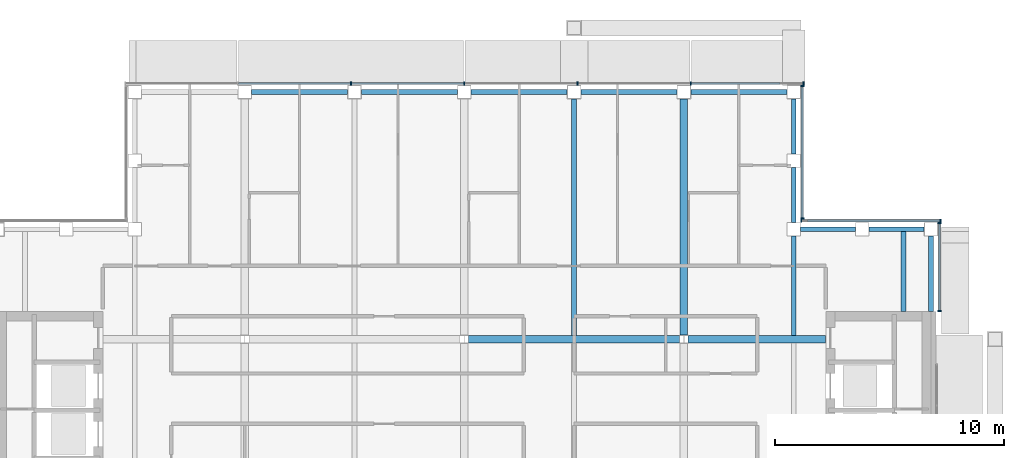
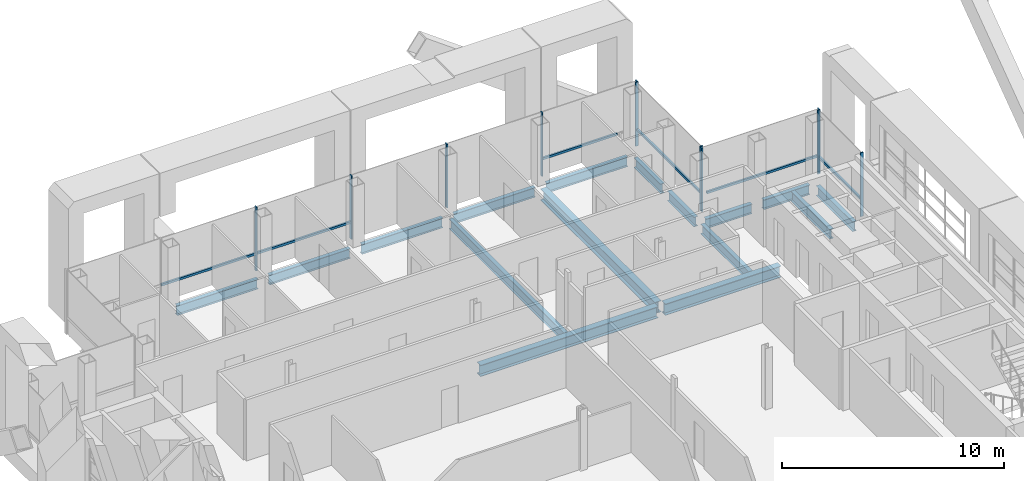
# One storey, part 9 of 23: 17 members, 16 beams, 4 elements without a shape of their own.
"""IFC4 building model written with IfcOpenShell, lengths in metres."""

from ifc_helpers import new_model, si_unit, direction, frame, origin, origin_2d, place, context, subcontext, project, spatial, rectangle, i_section, extrude, material, material_profile, profile_set, type_object, element, aggregate, save


model = new_model("IFC4")

# Units and contexts
model_context = context("Model", 3, precision=1e-05, world=origin(), true_north=direction((0.0, 1.0)))
body_context = subcontext(model_context, "Body", "Model", "MODEL_VIEW")
ifc_project = project(units=[si_unit("LENGTHUNIT", "METRE"), si_unit("AREAUNIT", "SQUARE_METRE"), si_unit("VOLUMEUNIT", "CUBIC_METRE"), si_unit("PLANEANGLEUNIT", "RADIAN"), si_unit("MASSUNIT", "GRAM", prefix="KILO")], contexts=[model_context])

# Site, building, storey
site_placement = place(None, origin())
site = spatial("IfcSite", under=ifc_project, at=site_placement, CompositionType="ELEMENT")
building_placement = place(site_placement, origin())
building = spatial("IfcBuilding", under=site, at=building_placement, Name="Cobrizo Arcos Hotel Tower", CompositionType="ELEMENT")
storey_placement = place(building_placement, frame((0.0, 0.0, 255.0)))
storey = spatial("IfcBuildingStorey", under=building, at=storey_placement, Name="L67", CompositionType="ELEMENT", Elevation=255.0)

# Curtain wall, members
ifc_material_1 = material(Name="Aluminium 6063-T6 anodised bronze", Category="aluminium")
curtain_wall_type = type_object("IfcCurtainWallType", Name="CW-A guest facade", PredefinedType="NOTDEFINED", material=ifc_material_1)
curtain_wall_1_placement = place(storey_placement, origin())
curtain_wall_1 = element("IfcCurtainWall", 1, at=curtain_wall_1_placement, inside=storey, type_object=curtain_wall_type, Name="CW-A L67 E face", PredefinedType="NOTDEFINED")
ifc_material_profile_1 = material_profile(ifc_material_1, rectangle(XDim=0.14990234375, YDim=0.06005859375, at=origin_2d()), Name="CW-A mullion 150x60")
ifc_profile_set_1 = profile_set([ifc_material_profile_1], Name="Aluminium 6063-T6 anodised bronze")
member_type_1 = type_object("IfcMemberType", Name="CW-A mullion 150x60", PredefinedType="MULLION", material=ifc_profile_set_1)
member_1_placement = place(storey_placement, frame((20.77490234375, 10.830078125, 0.0), z_axis=(0.0, 0.0, 1.0), x_axis=(1.0, 0.0, 0.0)))
member_1 = element("IfcMember", 2, at=member_1_placement, type_object=member_type_1, Name="CW-A mullion 1", PredefinedType="MULLION", context=body_context, shape_type="SweptSolid", body=[
    extrude(rectangle(XDim=0.14990234375, YDim=0.06005859375, at=origin_2d()), origin(), (0.0, 0.0, 1.0), 3.5),
])
member_2_placement = place(storey_placement, frame((20.77490234375, 14.669921875, 0.0), z_axis=(0.0, 0.0, 1.0), x_axis=(1.0, 0.0, 0.0)))
member_2 = element("IfcMember", 3, at=member_2_placement, type_object=member_type_1, Name="CW-A mullion 2", PredefinedType="MULLION", context=body_context, shape_type="SweptSolid", body=[
    extrude(rectangle(XDim=0.14990234375, YDim=0.06005859375, at=origin_2d()), origin(), (0.0, 0.0, 1.0), 3.5),
])

curtain_wall_2_placement = place(storey_placement, origin())
curtain_wall_2 = element("IfcCurtainWall", 4, at=curtain_wall_2_placement, inside=storey, type_object=curtain_wall_type, Name="CW-A L67 N face", PredefinedType="NOTDEFINED")
member_3_placement = place(storey_placement, frame((20.820068359375, 14.77490234375, 0.0), z_axis=(0.0, 0.0, 1.0), x_axis=(0.0, 1.0, 0.0)))
member_3 = element("IfcMember", 5, at=member_3_placement, type_object=member_type_1, Name="CW-A mullion 1", PredefinedType="MULLION", context=body_context, shape_type="SweptSolid", body=[
    extrude(rectangle(XDim=0.14990234375, YDim=0.06005859375, at=origin_2d()), origin(), (0.0, 0.0, 1.0), 3.5),
])
member_4_placement = place(storey_placement, frame((14.72998046875, 14.77490234375, 0.0), z_axis=(0.0, 0.0, 1.0), x_axis=(0.0, 1.0, 0.0)))
member_4 = element("IfcMember", 6, at=member_4_placement, type_object=member_type_1, Name="CW-A mullion 2", PredefinedType="MULLION", context=body_context, shape_type="SweptSolid", body=[
    extrude(rectangle(XDim=0.14990234375, YDim=0.06005859375, at=origin_2d()), origin(), (0.0, 0.0, 1.0), 3.5),
])

curtain_wall_3_placement = place(storey_placement, origin())
curtain_wall_3 = element("IfcCurtainWall", 7, at=curtain_wall_3_placement, inside=storey, type_object=curtain_wall_type, Name="CW-A L67 E face", PredefinedType="NOTDEFINED")
member_5_placement = place(storey_placement, frame((14.77490234375, 14.8798828125, 0.0), z_axis=(0.0, 0.0, 1.0), x_axis=(1.0, 0.0, 0.0)))
member_5 = element("IfcMember", 8, at=member_5_placement, type_object=member_type_1, Name="CW-A mullion 1", PredefinedType="MULLION", context=body_context, shape_type="SweptSolid", body=[
    extrude(rectangle(XDim=0.14990234375, YDim=0.06005859375, at=origin_2d()), origin(), (0.0, 0.0, 1.0), 3.5),
])
member_6_placement = place(storey_placement, frame((14.77490234375, 20.669921875, 0.0), z_axis=(0.0, 0.0, 1.0), x_axis=(1.0, 0.0, 0.0)))
member_6 = element("IfcMember", 9, at=member_6_placement, type_object=member_type_1, Name="CW-A mullion 2", PredefinedType="MULLION", context=body_context, shape_type="SweptSolid", body=[
    extrude(rectangle(XDim=0.14990234375, YDim=0.06005859375, at=origin_2d()), origin(), (0.0, 0.0, 1.0), 3.5),
])

curtain_wall_4_placement = place(storey_placement, origin())
curtain_wall_4 = element("IfcCurtainWall", 10, at=curtain_wall_4_placement, inside=storey, type_object=curtain_wall_type, Name="CW-A L67 N face", PredefinedType="NOTDEFINED")
member_7_placement = place(storey_placement, frame((14.820068359375, 20.77490234375, 0.0), z_axis=(0.0, 0.0, 1.0), x_axis=(0.0, 1.0, 0.0)))
member_7 = element("IfcMember", 11, at=member_7_placement, type_object=member_type_1, Name="CW-A mullion 1", PredefinedType="MULLION", context=body_context, shape_type="SweptSolid", body=[
    extrude(rectangle(XDim=0.14990234375, YDim=0.06005859375, at=origin_2d()), origin(), (0.0, 0.0, 1.0), 3.5),
])
member_8_placement = place(storey_placement, frame((9.89990234375, 20.77490234375, 0.0), z_axis=(0.0, 0.0, 1.0), x_axis=(0.0, 1.0, 0.0)))
member_8 = element("IfcMember", 12, at=member_8_placement, type_object=member_type_1, Name="CW-A mullion 2", PredefinedType="MULLION", context=body_context, shape_type="SweptSolid", body=[
    extrude(rectangle(XDim=0.14990234375, YDim=0.06005859375, at=origin_2d()), origin(), (0.0, 0.0, 1.0), 3.5),
])
member_9_placement = place(storey_placement, frame((4.949951171875, 20.77490234375, 0.0), z_axis=(0.0, 0.0, 1.0), x_axis=(0.0, 1.0, 0.0)))
member_9 = element("IfcMember", 13, at=member_9_placement, type_object=member_type_1, Name="CW-A mullion 3", PredefinedType="MULLION", context=body_context, shape_type="SweptSolid", body=[
    extrude(rectangle(XDim=0.14990234375, YDim=0.06005859375, at=origin_2d()), origin(), (0.0, 0.0, 1.0), 3.5),
])
member_10_placement = place(storey_placement, frame((0.0, 20.77490234375, 0.0), z_axis=(0.0, 0.0, 1.0), x_axis=(0.0, 1.0, 0.0)))
member_10 = element("IfcMember", 14, at=member_10_placement, type_object=member_type_1, Name="CW-A mullion 4", PredefinedType="MULLION", context=body_context, shape_type="SweptSolid", body=[
    extrude(rectangle(XDim=0.14990234375, YDim=0.06005859375, at=origin_2d()), origin(), (0.0, 0.0, 1.0), 3.5),
])
member_11_placement = place(storey_placement, frame((-4.949951171875, 20.77490234375, 0.0), z_axis=(0.0, 0.0, 1.0), x_axis=(0.0, 1.0, 0.0)))
member_11 = element("IfcMember", 15, at=member_11_placement, type_object=member_type_1, Name="CW-A mullion 5", PredefinedType="MULLION", context=body_context, shape_type="SweptSolid", body=[
    extrude(rectangle(XDim=0.14990234375, YDim=0.06005859375, at=origin_2d()), origin(), (0.0, 0.0, 1.0), 3.5),
])

# Member
ifc_material_profile_2 = material_profile(ifc_material_1, rectangle(XDim=0.10009765625, YDim=0.1201171875, at=origin_2d()), Name="CW-A transom 120x100")
ifc_profile_set_2 = profile_set([ifc_material_profile_2], Name="Aluminium 6063-T6 anodised bronze")
member_type_2 = type_object("IfcMemberType", Name="CW-A transom 120x100", PredefinedType="USERDEFINED", material=ifc_profile_set_2)
member_12_placement = place(storey_placement, frame((20.77490234375, 10.860107421875, 0.929931640625), z_axis=(0.0, 1.0, 0.0), x_axis=(-1.0, 0.0, 0.0)))
member_12 = element("IfcMember", 16, at=member_12_placement, type_object=member_type_2, Name="CW-A transom 2117", ObjectType="TRANSOM", PredefinedType="USERDEFINED", context=body_context, shape_type="SweptSolid", body=[
    extrude(rectangle(XDim=0.10009765625, YDim=0.1201171875, at=origin_2d()), origin(), (0.0, 0.0, 1.0), 3.77978515625),
])

aggregate(curtain_wall_1, [member_1, member_2, member_12])

member_13_placement = place(storey_placement, frame((20.7900390625, 14.77490234375, 0.929931640625), z_axis=(-1.0, 0.0, 0.0), x_axis=(0.0, -1.0, 0.0)))
member_13 = element("IfcMember", 17, at=member_13_placement, type_object=member_type_2, Name="CW-A transom 2118", ObjectType="TRANSOM", PredefinedType="USERDEFINED", context=body_context, shape_type="SweptSolid", body=[
    extrude(rectangle(XDim=0.10009765625, YDim=0.1201171875, at=origin_2d()), origin(), (0.0, 0.0, 1.0), 5.7900390625),
])

aggregate(curtain_wall_2, [member_3, member_4, member_13])

member_14_placement = place(storey_placement, frame((14.77490234375, 14.909912109375, 0.929931640625), z_axis=(0.0, 1.0, 0.0), x_axis=(-1.0, 0.0, 0.0)))
member_14 = element("IfcMember", 18, at=member_14_placement, type_object=member_type_2, Name="CW-A transom 2119", ObjectType="TRANSOM", PredefinedType="USERDEFINED", context=body_context, shape_type="SweptSolid", body=[
    extrude(rectangle(XDim=0.10009765625, YDim=0.1201171875, at=origin_2d()), origin(), (0.0, 0.0, 1.0), 5.68017578125),
])

aggregate(curtain_wall_3, [member_5, member_6, member_14])

member_15_placement = place(storey_placement, frame((13.800048828125, 20.77490234375, 0.929931640625), z_axis=(-1.0, 0.0, 0.0), x_axis=(0.0, -1.0, 0.0)))
member_15 = element("IfcMember", 19, at=member_15_placement, type_object=member_type_2, Name="CW-A transom 2120", ObjectType="TRANSOM", PredefinedType="USERDEFINED", context=body_context, shape_type="SweptSolid", body=[
    extrude(rectangle(XDim=0.10009765625, YDim=0.1201171875, at=origin_2d()), origin(), (0.0, 0.0, 1.0), 3.8701171875),
])

member_16_placement = place(storey_placement, frame((-0.030029296875, 20.77490234375, 0.929931640625), z_axis=(-1.0, 0.0, 0.0), x_axis=(0.0, -1.0, 0.0)))
member_16 = element("IfcMember", 20, at=member_16_placement, type_object=member_type_2, Name="CW-A transom 2123", ObjectType="TRANSOM", PredefinedType="USERDEFINED", context=body_context, shape_type="SweptSolid", body=[
    extrude(rectangle(XDim=0.10009765625, YDim=0.1201171875, at=origin_2d()), origin(), (0.0, 0.0, 1.0), 4.889892578125),
])

member_17_placement = place(storey_placement, frame((-4.97998046875, 20.77490234375, 0.929931640625), z_axis=(-1.0, 0.0, 0.0), x_axis=(0.0, -1.0, 0.0)))
member_17 = element("IfcMember", 21, at=member_17_placement, type_object=member_type_2, Name="CW-A transom 2124", ObjectType="TRANSOM", PredefinedType="USERDEFINED", context=body_context, shape_type="SweptSolid", body=[
    extrude(rectangle(XDim=0.10009765625, YDim=0.1201171875, at=origin_2d()), origin(), (0.0, 0.0, 1.0), 4.89013671875),
])

aggregate(curtain_wall_4, [member_7, member_8, member_9, member_10, member_11, member_15, member_16, member_17])

# Beams
ifc_material_2 = material(Name="Steel ASTM A992 Grade 50", Category="steel")
ifc_material_profile_3 = material_profile(ifc_material_2, i_section(OverallWidth=0.209228515625, OverallDepth=0.533447265625, WebThickness=0.01025390625, FlangeThickness=0.015625, at=origin_2d()), Name="W21X62")
ifc_profile_set_3 = profile_set([ifc_material_profile_3], Name="Steel ASTM A992 Grade 50")
beam_type_1 = type_object("IfcBeamType", Name="W21X62 joist", PredefinedType="JOIST", material=ifc_profile_set_3)
beam_1_placement = place(storey_placement, frame((4.800048828125, 9.763916015625, -0.416748046875), z_axis=(0.0, 1.0, 0.0), x_axis=(-1.0, 0.0, 0.0)))
element("IfcBeam", 22, at=beam_1_placement, inside=storey, type_object=beam_type_1, Name="Floor joist J1, L67, no. 014", PredefinedType="JOIST", context=body_context, shape_type="SweptSolid", body=[
    extrude(i_section(OverallWidth=0.209228515625, OverallDepth=0.533447265625, WebThickness=0.01025390625, FlangeThickness=0.015625, at=origin_2d()), origin(), (0.0, 0.0, 1.0), 10.336181640625),
])
beam_2_placement = place(storey_placement, frame((14.39990234375, 9.763916015625, -0.416748046875), z_axis=(0.0, 1.0, 0.0), x_axis=(-1.0, 0.0, 0.0)))
element("IfcBeam", 23, at=beam_2_placement, inside=storey, type_object=beam_type_1, Name="Floor joist J1, L67, no. 018", PredefinedType="JOIST", context=body_context, shape_type="SweptSolid", body=[
    extrude(i_section(OverallWidth=0.209228515625, OverallDepth=0.533447265625, WebThickness=0.01025390625, FlangeThickness=0.015625, at=origin_2d()), origin(), (0.0, 0.0, 1.0), 4.336181640625),
])
beam_3_placement = place(storey_placement, frame((19.199951171875, 10.81005859375, -0.416748046875), z_axis=(0.0, 1.0, 0.0), x_axis=(-1.0, 0.0, 0.0)))
element("IfcBeam", 24, at=beam_3_placement, inside=storey, type_object=beam_type_1, Name="Floor joist J1, L67, no. 020", PredefinedType="JOIST", context=body_context, shape_type="SweptSolid", body=[
    extrude(i_section(OverallWidth=0.209228515625, OverallDepth=0.533447265625, WebThickness=0.01025390625, FlangeThickness=0.015625, at=origin_2d()), origin(), (0.0, 0.0, 1.0), 3.5),
])
ifc_material_profile_4 = material_profile(ifc_material_2, i_section(OverallWidth=0.209228515625, OverallDepth=0.533447265625, WebThickness=0.01025390625, FlangeThickness=0.015625, at=origin_2d()), Name="W21X62")
ifc_profile_set_4 = profile_set([ifc_material_profile_4], Name="Steel ASTM A992 Grade 50")
beam_type_2 = type_object("IfcBeamType", Name="W21X62 spandrel", PredefinedType="SPANDREL", material=ifc_profile_set_4)
beam_4_placement = place(storey_placement, frame((20.39990234375, 10.81005859375, -0.416748046875), z_axis=(0.0, 1.0, 0.0), x_axis=(-1.0, 0.0, 0.0)))
element("IfcBeam", 25, at=beam_4_placement, inside=storey, type_object=beam_type_2, Name="Spandrel beam W21X62, L67, no. 012", PredefinedType="SPANDREL", context=body_context, shape_type="SweptSolid", body=[
    extrude(i_section(OverallWidth=0.209228515625, OverallDepth=0.533447265625, WebThickness=0.01025390625, FlangeThickness=0.015625, at=origin_2d()), origin(), (0.0, 0.0, 1.0), 3.2900390625),
])
for number, where, z_axis, x_axis, name in (
    (26, (20.10009765625, 14.39990234375, -0.416748046875), (-1.0, 0.0, 0.0), (0.0, -1.0, 0.0), "Spandrel beam W21X62, L67, no. 013"),
    (27, (17.10009765625, 14.39990234375, -0.416748046875), (-1.0, 0.0, 0.0), (0.0, -1.0, 0.0), "Spandrel beam W21X62, L67, no. 014"),
    (28, (14.39990234375, 14.699951171875, -0.416748046875), (0.0, 1.0, 0.0), (-1.0, 0.0, 0.0), "Spandrel beam W21X62, L67, no. 015"),
    (29, (14.39990234375, 17.699951171875, -0.416748046875), (0.0, 1.0, 0.0), (-1.0, 0.0, 0.0), "Spandrel beam W21X62, L67, no. 016"),
):
    element("IfcBeam", number, at=place(storey_placement, frame(where, z_axis=z_axis, x_axis=x_axis)), inside=storey, type_object=beam_type_2, Name=name, PredefinedType="SPANDREL", context=body_context, shape_type="SweptSolid", body=[
        extrude(i_section(OverallWidth=0.209228515625, OverallDepth=0.533447265625, WebThickness=0.01025390625, FlangeThickness=0.015625, at=origin_2d()), origin(), (0.0, 0.0, 1.0), 2.400146484375),
    ])
beam_5_placement = place(storey_placement, frame((14.10009765625, 20.39990234375, -0.416748046875), z_axis=(-1.0, 0.0, 0.0), x_axis=(0.0, -1.0, 0.0)))
element("IfcBeam", 30, at=beam_5_placement, inside=storey, type_object=beam_type_2, Name="Spandrel beam W21X62, L67, no. 017", PredefinedType="SPANDREL", context=body_context, shape_type="SweptSolid", body=[
    extrude(i_section(OverallWidth=0.209228515625, OverallDepth=0.533447265625, WebThickness=0.01025390625, FlangeThickness=0.015625, at=origin_2d()), origin(), (0.0, 0.0, 1.0), 4.2001953125),
])
for number, where, z_axis, x_axis, name in (
    (31, (9.300048828125, 20.39990234375, -0.416748046875), (-1.0, 0.0, 0.0), (0.0, -1.0, 0.0), "Spandrel beam W21X62, L67, no. 018"),
    (32, (4.5, 20.39990234375, -0.416748046875), (-1.0, 0.0, 0.0), (0.0, -1.0, 0.0), "Spandrel beam W21X62, L67, no. 019"),
    (33, (-0.300048828125, 20.39990234375, -0.416748046875), (-1.0, 0.0, 0.0), (0.0, -1.0, 0.0), "Spandrel beam W21X62, L67, no. 020"),
    (34, (-5.10009765625, 20.39990234375, -0.416748046875), (-1.0, 0.0, 0.0), (0.0, -1.0, 0.0), "Spandrel beam W21X62, L67, no. 021"),
):
    element("IfcBeam", number, at=place(storey_placement, frame(where, z_axis=z_axis, x_axis=x_axis)), inside=storey, type_object=beam_type_2, Name=name, PredefinedType="SPANDREL", context=body_context, shape_type="SweptSolid", body=[
        extrude(i_section(OverallWidth=0.209228515625, OverallDepth=0.533447265625, WebThickness=0.01025390625, FlangeThickness=0.015625, at=origin_2d()), origin(), (0.0, 0.0, 1.0), 4.199951171875),
    ])
ifc_material_profile_5 = material_profile(ifc_material_2, i_section(OverallWidth=0.32763671875, OverallDepth=0.622314453125, WebThickness=0.015380859375, FlangeThickness=0.0244140625, at=origin_2d()), Name="W24X131")
ifc_profile_set_5 = profile_set([ifc_material_profile_5], Name="Steel ASTM A992 Grade 50")
beam_type_3 = type_object("IfcBeamType", Name="W24X131 girder", PredefinedType="BEAM", material=ifc_profile_set_5)
beam_6_placement = place(storey_placement, frame((0.18408203125, 9.60009765625, -0.461181640625), z_axis=(1.0, 0.0, 0.0), x_axis=(0.0, 1.0, 0.0)))
element("IfcBeam", 35, at=beam_6_placement, inside=storey, type_object=beam_type_3, Name="Floor girder G1, L67, no. 011", PredefinedType="BEAM", context=body_context, shape_type="SweptSolid", body=[
    extrude(i_section(OverallWidth=0.32763671875, OverallDepth=0.622314453125, WebThickness=0.015380859375, FlangeThickness=0.0244140625, at=origin_2d()), origin(), (0.0, 0.0, 1.0), 9.231689453125),
])
beam_7_placement = place(storey_placement, frame((9.7841796875, 9.60009765625, -0.461181640625), z_axis=(1.0, 0.0, 0.0), x_axis=(0.0, 1.0, 0.0)))
element("IfcBeam", 36, at=beam_7_placement, inside=storey, type_object=beam_type_3, Name="Floor girder G1, L67, no. 012", PredefinedType="BEAM", context=body_context, shape_type="SweptSolid", body=[
    extrude(i_section(OverallWidth=0.32763671875, OverallDepth=0.622314453125, WebThickness=0.015380859375, FlangeThickness=0.0244140625, at=origin_2d()), origin(), (0.0, 0.0, 1.0), 6.005859375),
])
beam_8_placement = place(storey_placement, frame((9.60009765625, 9.7841796875, -0.461181640625), z_axis=(0.0, 1.0, 0.0), x_axis=(-1.0, 0.0, 0.0)))
element("IfcBeam", 37, at=beam_8_placement, inside=storey, type_object=beam_type_3, Name="Floor girder G1, L67, no. 024", PredefinedType="BEAM", context=body_context, shape_type="SweptSolid", body=[
    extrude(i_section(OverallWidth=0.32763671875, OverallDepth=0.622314453125, WebThickness=0.015380859375, FlangeThickness=0.0244140625, at=origin_2d()), origin(), (0.0, 0.0, 1.0), 10.31591796875),
])

save(model, "model.ifc")
